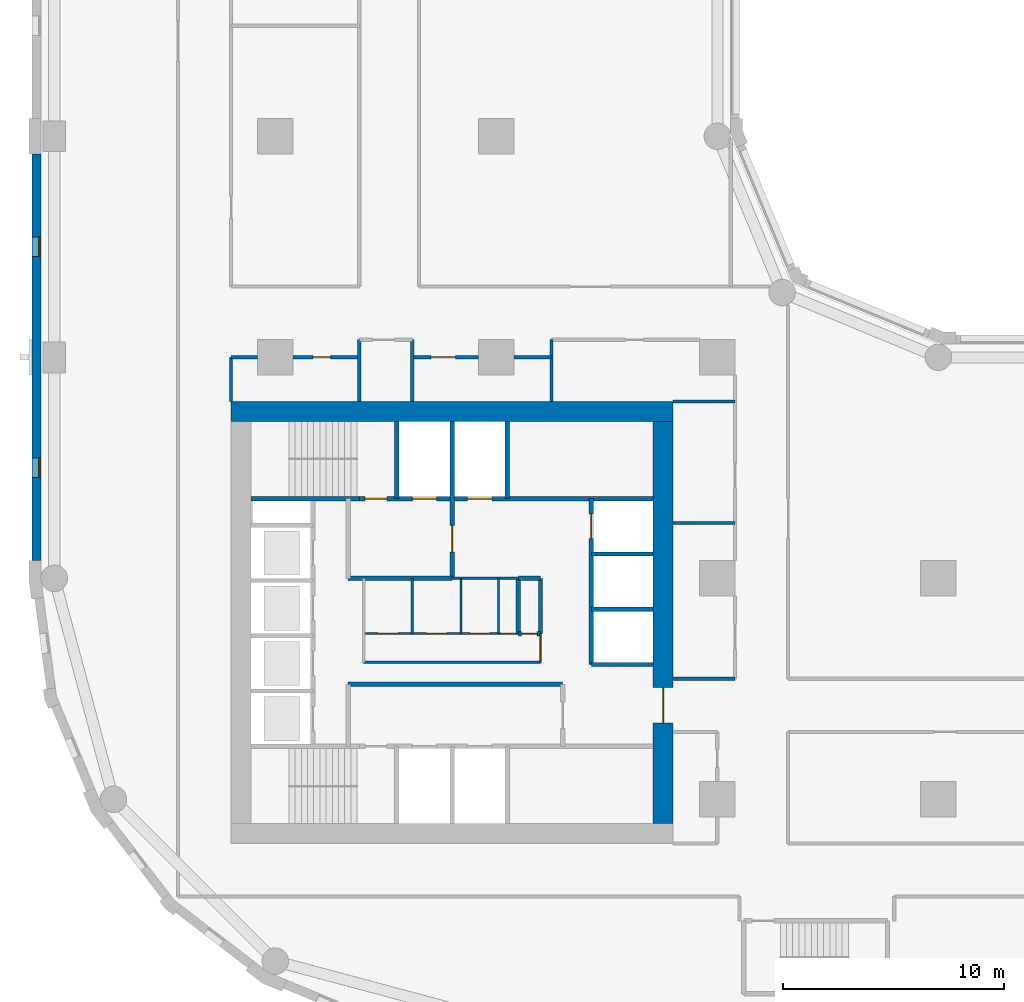
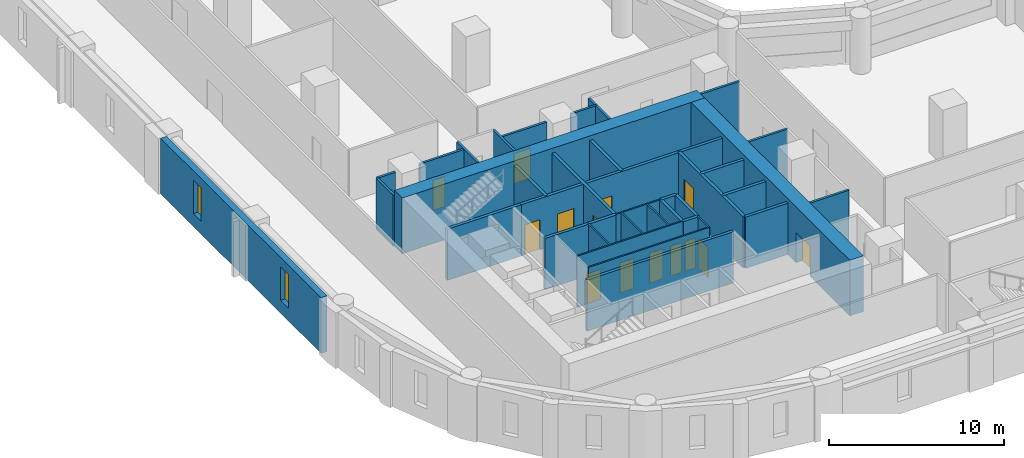
# One storey, part 3 of 10: 36 walls, 14 doors, 2 windows, 16 openings.
"""IFC4 building model written with IfcOpenShell, lengths in metres."""

from ifc_helpers import new_model, si_unit, direction, frame, frame_2d, origin, place, context, subcontext, project, spatial, rectangle, extrude, material, layer, layer_set, type_object, element, fill, save


model = new_model("IFC4")

# Units and contexts
model_context = context("Model", 3, precision=1e-05, world=origin(), true_north=direction((0.0, 1.0)))
body_context = subcontext(model_context, "Body", "Model", "MODEL_VIEW")
ifc_project = project(units=[si_unit("LENGTHUNIT", "METRE"), si_unit("AREAUNIT", "SQUARE_METRE"), si_unit("VOLUMEUNIT", "CUBIC_METRE"), si_unit("PLANEANGLEUNIT", "RADIAN"), si_unit("MASSUNIT", "GRAM", prefix="KILO")], contexts=[model_context])

# Site, building, storey
site_placement = place(None, origin())
site = spatial("IfcSite", under=ifc_project, at=site_placement, CompositionType="ELEMENT")
building_placement = place(site_placement, origin())
building = spatial("IfcBuilding", under=site, at=building_placement, Name="Qaws Garden Tower", CompositionType="ELEMENT")
storey_placement = place(building_placement, frame((0.0, 0.0, 39.300048828125)))
storey = spatial("IfcBuildingStorey", under=building, at=storey_placement, Name="L09", CompositionType="ELEMENT", Elevation=39.300048828125)

# Wall, openings, windows
ifc_material_1 = material(Name="Clay facing brick masonry", Category="masonry")
ifc_layer_1 = layer(ifc_material_1, 0.39990234375)
ifc_layer_set_1 = layer_set([ifc_layer_1], Name="Clay facing brick masonry")
wall_type_1 = type_object("IfcWallType", Name="Brick infill wall 400", PredefinedType="SOLIDWALL", material=ifc_layer_set_1)
wall_1_placement = place(storey_placement, frame((-0.800048828125, 39.199951171875, 0.0), z_axis=(0.0, 0.0, 1.0), x_axis=(0.0, -1.0, 0.0)))
wall_1 = element("IfcWall", 1, at=wall_1_placement, inside=storey, type_object=wall_type_1, Name="E-L09-infill-25", PredefinedType="SOLIDWALL", context=body_context, shape_type="SweptSolid", body=[
    extrude(rectangle(XDim=18.39990234375, YDim=0.39990234375, at=frame_2d((9.199951171875, 0.0))), origin(), (0.0, 0.0, 1.0), 3.89990234375),
])
opening_1_placement = place(wall_1_placement, frame((3.75, 0.0, 0.89990234375)))
opening_1 = element("IfcOpeningElement", 2, at=opening_1_placement, cuts=wall_1, Name="Opening W09", PredefinedType="OPENING", context=body_context, shape_type="SweptSolid", body=[
    extrude(rectangle(XDim=0.89990234375, YDim=2.35009765625, at=frame_2d((0.449951171875, 1.175048828125))), frame((0.0, 0.2099609375, 0.0), z_axis=(0.0, -1.0, 0.0), x_axis=(1.0, 0.0, 0.0)), (0.0, 0.0, 1.0), 0.419921875),
])
opening_2_placement = place(wall_1_placement, frame((13.75, 0.0, 0.89990234375)))
opening_2 = element("IfcOpeningElement", 3, at=opening_2_placement, cuts=wall_1, Name="Opening W09", PredefinedType="OPENING", context=body_context, shape_type="SweptSolid", body=[
    extrude(rectangle(XDim=0.89990234375, YDim=2.35009765625, at=frame_2d((0.449951171875, 1.175048828125))), frame((0.0, 0.2099609375, 0.0), z_axis=(0.0, -1.0, 0.0), x_axis=(1.0, 0.0, 0.0)), (0.0, 0.0, 1.0), 0.419921875),
])
ifc_material_2 = material(Name="Aluminium framed window, clear glazing", Category="aluminium")
window_type = type_object("IfcWindowType", Name="Slit window 900 x 2350", PartitioningType="SINGLE_PANEL", PredefinedType="WINDOW", material=ifc_material_2)
window_1_placement = place(opening_1_placement, origin())
window_1 = element("IfcWindow", 4, at=window_1_placement, inside=storey, type_object=window_type, Name="E-L09-window-25-0", OverallHeight=2.35009765625, OverallWidth=0.89990234375, PartitioningType="SINGLE_PANEL", PredefinedType="WINDOW", context=body_context, shape_type="SweptSolid", body=[
    extrude(rectangle(XDim=0.89990234375, YDim=2.35009765625, at=frame_2d((0.449951171875, 1.175048828125))), frame((0.0, 0.159912109375, 0.0), z_axis=(0.0, -1.0, 0.0), x_axis=(1.0, 0.0, 0.0)), (0.0, 0.0, 1.0), 0.06005859375),
])
fill(opening_1, window_1)
window_2_placement = place(opening_2_placement, origin())
window_2 = element("IfcWindow", 5, at=window_2_placement, inside=storey, type_object=window_type, Name="E-L09-window-26-0", OverallHeight=2.35009765625, OverallWidth=0.89990234375, PartitioningType="SINGLE_PANEL", PredefinedType="WINDOW", context=body_context, shape_type="SweptSolid", body=[
    extrude(rectangle(XDim=0.89990234375, YDim=2.35009765625, at=frame_2d((0.449951171875, 1.175048828125))), frame((0.0, 0.159912109375, 0.0), z_axis=(0.0, -1.0, 0.0), x_axis=(1.0, 0.0, 0.0)), (0.0, 0.0, 1.0), 0.06005859375),
])
fill(opening_2, window_2)

# Wall
ifc_material_3 = material(Name="Plasterboard")
ifc_layer_2 = layer(ifc_material_3, 0.10009765625)
ifc_layer_set_2 = layer_set([ifc_layer_2], Name="Plasterboard")
wall_type_2 = type_object("IfcWallType", Name="Core partition 100", PredefinedType="PARTITIONING", material=ifc_layer_set_2)
wall_2_placement = place(storey_placement, frame((14.0, 16.199951171875, 0.0), z_axis=(0.0, 0.0, 1.0), x_axis=(1.0, 0.0, 0.0)))
element("IfcWall", 6, at=wall_2_placement, inside=storey, type_object=wall_type_2, Name="Core partition", PredefinedType="PARTITIONING", context=body_context, shape_type="SweptSolid", body=[
    extrude(rectangle(XDim=8.0, YDim=0.10009765625, at=frame_2d((4.0, 0.0))), origin(), (0.0, 0.0, 1.0), 3.579833984375),
])

# Wall, openings, doors
wall_3_placement = place(storey_placement, frame((14.0, 17.5, 0.0), z_axis=(0.0, 0.0, 1.0), x_axis=(1.0, 0.0, 0.0)))
wall_3 = element("IfcWall", 7, at=wall_3_placement, inside=storey, type_object=wall_type_2, Name="Core partition", PredefinedType="PARTITIONING", context=body_context, shape_type="SweptSolid", body=[
    extrude(rectangle(XDim=7.0, YDim=0.10009765625, at=frame_2d((3.5, 0.0))), origin(), (0.0, 0.0, 1.0), 3.579833984375),
])
opening_3_placement = place(wall_3_placement, frame((0.64990234375, 0.0, 0.0)))
opening_3 = element("IfcOpeningElement", 8, at=opening_3_placement, cuts=wall_3, Name="Opening WD18", PredefinedType="OPENING", context=body_context, shape_type="SweptSolid", body=[
    extrude(rectangle(XDim=0.89990234375, YDim=2.10009765625, at=frame_2d((0.449951171875, 1.050048828125))), frame((0.0, 0.06005859375, 0.0), z_axis=(0.0, -1.0, 0.0), x_axis=(1.0, 0.0, 0.0)), (0.0, 0.0, 1.0), 0.1201171875),
])
opening_4_placement = place(wall_3_placement, frame((2.85009765625, 0.0, 0.0)))
opening_4 = element("IfcOpeningElement", 9, at=opening_4_placement, cuts=wall_3, Name="Opening WD19", PredefinedType="OPENING", context=body_context, shape_type="SweptSolid", body=[
    extrude(rectangle(XDim=0.89990234375, YDim=2.10009765625, at=frame_2d((0.449951171875, 1.050048828125))), frame((0.0, 0.06005859375, 0.0), z_axis=(0.0, -1.0, 0.0), x_axis=(1.0, 0.0, 0.0)), (0.0, 0.0, 1.0), 0.1201171875),
])
opening_5_placement = place(wall_3_placement, frame((4.800048828125, 0.0, 0.0)))
opening_5 = element("IfcOpeningElement", 10, at=opening_5_placement, cuts=wall_3, Name="Opening WD20", PredefinedType="OPENING", context=body_context, shape_type="SweptSolid", body=[
    extrude(rectangle(XDim=0.89990234375, YDim=2.10009765625, at=frame_2d((0.449951171875, 1.050048828125))), frame((0.0, 0.06005859375, 0.0), z_axis=(0.0, -1.0, 0.0), x_axis=(1.0, 0.0, 0.0)), (0.0, 0.0, 1.0), 0.1201171875),
])
opening_6_placement = place(wall_3_placement, frame((6.199951171875, 0.0, 0.0)))
opening_6 = element("IfcOpeningElement", 11, at=opening_6_placement, cuts=wall_3, Name="Opening XD21", PredefinedType="OPENING", context=body_context, shape_type="SweptSolid", body=[
    extrude(rectangle(XDim=0.699951171875, YDim=2.10009765625, at=frame_2d((0.35009765625, 1.050048828125))), frame((0.0, 0.06005859375, 0.0), z_axis=(0.0, -1.0, 0.0), x_axis=(1.0, 0.0, 0.0)), (0.0, 0.0, 1.0), 0.1201171875),
])
ifc_material_4 = material(Name="Timber", Category="wood")
door_type_1 = type_object("IfcDoorType", Name="Store door 700x2100", OperationType="SINGLE_SWING_LEFT", PredefinedType="DOOR", material=ifc_material_4)
door_1_placement = place(opening_6_placement, origin())
door_1 = element("IfcDoor", 12, at=door_1_placement, inside=storey, type_object=door_type_1, Name="Cleaner's store door", OperationType="SINGLE_SWING_RIGHT", OverallHeight=2.10009765625, OverallWidth=0.699951171875, PredefinedType="DOOR", context=body_context, shape_type="SweptSolid", body=[
    extrude(rectangle(XDim=0.699951171875, YDim=2.10009765625, at=frame_2d((0.35009765625, 1.050048828125))), frame((0.0, 0.02490234375, 0.0), z_axis=(0.0, -1.0, 0.0), x_axis=(1.0, 0.0, 0.0)), (0.0, 0.0, 1.0), 0.050048828125),
])
fill(opening_6, door_1)
ifc_material_5 = material(Name="Timber", Category="wood")
door_type_2 = type_object("IfcDoorType", Name="WC door 900x2100", OperationType="SINGLE_SWING_LEFT", PredefinedType="DOOR", material=ifc_material_5)
door_2_placement = place(opening_3_placement, origin())
door_2 = element("IfcDoor", 13, at=door_2_placement, inside=storey, type_object=door_type_2, Name="Men's WC door", OperationType="SINGLE_SWING_RIGHT", OverallHeight=2.10009765625, OverallWidth=0.89990234375, PredefinedType="DOOR", context=body_context, shape_type="SweptSolid", body=[
    extrude(rectangle(XDim=0.89990234375, YDim=2.10009765625, at=frame_2d((0.449951171875, 1.050048828125))), frame((0.0, 0.02490234375, 0.0), z_axis=(0.0, -1.0, 0.0), x_axis=(1.0, 0.0, 0.0)), (0.0, 0.0, 1.0), 0.050048828125),
])
fill(opening_3, door_2)
door_3_placement = place(opening_4_placement, origin())
door_3 = element("IfcDoor", 14, at=door_3_placement, inside=storey, type_object=door_type_2, Name="Women's WC door", OperationType="SINGLE_SWING_RIGHT", OverallHeight=2.10009765625, OverallWidth=0.89990234375, PredefinedType="DOOR", context=body_context, shape_type="SweptSolid", body=[
    extrude(rectangle(XDim=0.89990234375, YDim=2.10009765625, at=frame_2d((0.449951171875, 1.050048828125))), frame((0.0, 0.02490234375, 0.0), z_axis=(0.0, -1.0, 0.0), x_axis=(1.0, 0.0, 0.0)), (0.0, 0.0, 1.0), 0.050048828125),
])
fill(opening_4, door_3)
door_4_placement = place(opening_5_placement, origin())
door_4 = element("IfcDoor", 15, at=door_4_placement, inside=storey, type_object=door_type_2, Name="Accessible WC door", OperationType="SINGLE_SWING_RIGHT", OverallHeight=2.10009765625, OverallWidth=0.89990234375, PredefinedType="DOOR", context=body_context, shape_type="SweptSolid", body=[
    extrude(rectangle(XDim=0.89990234375, YDim=2.10009765625, at=frame_2d((0.449951171875, 1.050048828125))), frame((0.0, 0.02490234375, 0.0), z_axis=(0.0, -1.0, 0.0), x_axis=(1.0, 0.0, 0.0)), (0.0, 0.0, 1.0), 0.050048828125),
])
fill(opening_5, door_4)

# Walls
wall_4_placement = place(storey_placement, frame((18.0, 20.0, 0.0), z_axis=(0.0, 0.0, 1.0), x_axis=(1.0, 0.0, 0.0)))
element("IfcWall", 16, at=wall_4_placement, inside=storey, type_object=wall_type_2, Name="Core partition", PredefinedType="PARTITIONING", context=body_context, shape_type="SweptSolid", body=[
    extrude(rectangle(XDim=3.0, YDim=0.10009765625, at=frame_2d((1.5, 0.0))), origin(), (0.0, 0.0, 1.0), 3.579833984375),
])
for number, where, z_axis, x_axis, name in (
    (17, (16.199951171875, 17.5, 0.0), (0.0, 0.0, 1.0), (0.0, 1.0, 0.0), "Core partition"),
    (18, (18.39990234375, 17.5, 0.0), (0.0, 0.0, 1.0), (0.0, 1.0, 0.0), "Core partition"),
    (19, (20.10009765625, 17.5, 0.0), (0.0, 0.0, 1.0), (0.0, 1.0, 0.0), "Core partition"),
):
    element("IfcWall", number, at=place(storey_placement, frame(where, z_axis=z_axis, x_axis=x_axis)), inside=storey, type_object=wall_type_2, Name=name, PredefinedType="PARTITIONING", context=body_context, shape_type="SweptSolid", body=[
        extrude(rectangle(XDim=2.5, YDim=0.10009765625, at=frame_2d((1.25, 0.0))), origin(), (0.0, 0.0, 1.0), 3.579833984375),
    ])

# Wall, opening, door
wall_5_placement = place(storey_placement, frame((22.0, 16.199951171875, 0.0), z_axis=(0.0, 0.0, 1.0), x_axis=(0.0, 1.0, 0.0)))
wall_5 = element("IfcWall", 20, at=wall_5_placement, inside=storey, type_object=wall_type_2, Name="Core partition", PredefinedType="PARTITIONING", context=body_context, shape_type="SweptSolid", body=[
    extrude(rectangle(XDim=1.300048828125, YDim=0.10009765625, at=frame_2d((0.64990234375, 0.0))), origin(), (0.0, 0.0, 1.0), 3.579833984375),
])
opening_7_placement = place(wall_5_placement, frame((0.10009765625, 0.0, 0.0)))
opening_7 = element("IfcOpeningElement", 21, at=opening_7_placement, cuts=wall_5, Name="Opening WL17", PredefinedType="OPENING", context=body_context, shape_type="SweptSolid", body=[
    extrude(rectangle(XDim=1.10009765625, YDim=2.10009765625, at=frame_2d((0.550048828125, 1.050048828125))), frame((0.0, 0.06005859375, 0.0), z_axis=(0.0, -1.0, 0.0), x_axis=(1.0, 0.0, 0.0)), (0.0, 0.0, 1.0), 0.1201171875),
])
ifc_material_6 = material(Name="Timber", Category="wood")
door_type_3 = type_object("IfcDoorType", Name="WC lobby door 1100x2100", OperationType="SINGLE_SWING_LEFT", PredefinedType="DOOR", material=ifc_material_6)
door_5_placement = place(opening_7_placement, origin())
door_5 = element("IfcDoor", 22, at=door_5_placement, inside=storey, type_object=door_type_3, Name="WC lobby door", OperationType="SINGLE_SWING_RIGHT", OverallHeight=2.10009765625, OverallWidth=1.10009765625, PredefinedType="DOOR", context=body_context, shape_type="SweptSolid", body=[
    extrude(rectangle(XDim=1.10009765625, YDim=2.10009765625, at=frame_2d((0.550048828125, 1.050048828125))), frame((0.0, 0.02490234375, 0.0), z_axis=(0.0, -1.0, 0.0), x_axis=(1.0, 0.0, 0.0)), (0.0, 0.0, 1.0), 0.050048828125),
])
fill(opening_7, door_5)

# Walls
ifc_material_7 = material(Name="Concrete C80", Category="concrete")
ifc_layer_3 = layer(ifc_material_7, 0.199951171875)
ifc_layer_set_3 = layer_set([ifc_layer_3], Name="Concrete C80")
wall_type_3 = type_object("IfcWallType", Name="Core shaft wall 200 C80", PredefinedType="SHEAR", material=ifc_layer_set_3)
wall_6_placement = place(storey_placement, frame((13.300048828125, 15.199951171875, 0.0), z_axis=(0.0, 0.0, 1.0), x_axis=(1.0, 0.0, 0.0)))
element("IfcWall", 23, at=wall_6_placement, inside=storey, type_object=wall_type_3, Name="Shaft wall", PredefinedType="SHEAR", context=body_context, shape_type="SweptSolid", body=[
    extrude(rectangle(XDim=9.699951171875, YDim=0.199951171875, at=frame_2d((4.85009765625, 0.0))), origin(), (0.0, 0.0, 1.0), 3.579833984375),
])
wall_7_placement = place(storey_placement, frame((24.300048828125, 16.10009765625, 0.0), z_axis=(0.0, 0.0, 1.0), x_axis=(1.0, 0.0, 0.0)))
element("IfcWall", 24, at=wall_7_placement, inside=storey, type_object=wall_type_3, Name="Shaft wall", PredefinedType="SHEAR", context=body_context, shape_type="SweptSolid", body=[
    extrude(rectangle(XDim=2.800048828125, YDim=0.199951171875, at=frame_2d((1.39990234375, 0.0))), origin(), (0.0, 0.0, 1.0), 3.579833984375),
])

# Wall, opening, door
wall_8_placement = place(storey_placement, frame((21.0, 17.5, 0.0), z_axis=(0.0, 0.0, 1.0), x_axis=(1.0, 0.0, 0.0)))
wall_8 = element("IfcWall", 25, at=wall_8_placement, inside=storey, type_object=wall_type_3, Name="Shaft wall", PredefinedType="SHEAR", context=body_context, shape_type="SweptSolid", body=[
    extrude(rectangle(XDim=1.0, YDim=0.199951171875, at=frame_2d((0.5, 0.0))), origin(), (0.0, 0.0, 1.0), 3.579833984375),
])
opening_8_placement = place(wall_8_placement, frame((0.14990234375, 0.0, 0.0)))
opening_8 = element("IfcOpeningElement", 26, at=opening_8_placement, cuts=wall_8, Name="Opening XD22", PredefinedType="OPENING", context=body_context, shape_type="SweptSolid", body=[
    extrude(rectangle(XDim=0.699951171875, YDim=2.10009765625, at=frame_2d((0.35009765625, 1.050048828125))), frame((0.0, 0.10986328125, 0.0), z_axis=(0.0, -1.0, 0.0), x_axis=(1.0, 0.0, 0.0)), (0.0, 0.0, 1.0), 0.219970703125),
])
door_6_placement = place(opening_8_placement, origin())
door_6 = element("IfcDoor", 27, at=door_6_placement, inside=storey, type_object=door_type_1, Name="Telecom riser door", OperationType="SINGLE_SWING_RIGHT", OverallHeight=2.10009765625, OverallWidth=0.699951171875, PredefinedType="DOOR", context=body_context, shape_type="SweptSolid", body=[
    extrude(rectangle(XDim=0.699951171875, YDim=2.10009765625, at=frame_2d((0.35009765625, 1.050048828125))), frame((0.0, 0.02490234375, 0.0), z_axis=(0.0, -1.0, 0.0), x_axis=(1.0, 0.0, 0.0)), (0.0, 0.0, 1.0), 0.050048828125),
])
fill(opening_8, door_6)

# Walls
wall_9_placement = place(storey_placement, frame((24.300048828125, 18.60009765625, 0.0), z_axis=(0.0, 0.0, 1.0), x_axis=(1.0, 0.0, 0.0)))
element("IfcWall", 28, at=wall_9_placement, inside=storey, type_object=wall_type_3, Name="Shaft wall", PredefinedType="SHEAR", context=body_context, shape_type="SweptSolid", body=[
    extrude(rectangle(XDim=2.800048828125, YDim=0.199951171875, at=frame_2d((1.39990234375, 0.0))), origin(), (0.0, 0.0, 1.0), 3.579833984375),
])
wall_10_placement = place(storey_placement, frame((13.300048828125, 20.0, 0.0), z_axis=(0.0, 0.0, 1.0), x_axis=(1.0, 0.0, 0.0)))
element("IfcWall", 29, at=wall_10_placement, inside=storey, type_object=wall_type_3, Name="Shaft wall", PredefinedType="SHEAR", context=body_context, shape_type="SweptSolid", body=[
    extrude(rectangle(XDim=4.699951171875, YDim=0.199951171875, at=frame_2d((2.35009765625, 0.0))), origin(), (0.0, 0.0, 1.0), 3.579833984375),
])
wall_11_placement = place(storey_placement, frame((21.0, 20.0, 0.0), z_axis=(0.0, 0.0, 1.0), x_axis=(1.0, 0.0, 0.0)))
element("IfcWall", 30, at=wall_11_placement, inside=storey, type_object=wall_type_3, Name="Shaft wall", PredefinedType="SHEAR", context=body_context, shape_type="SweptSolid", body=[
    extrude(rectangle(XDim=1.0, YDim=0.199951171875, at=frame_2d((0.5, 0.0))), origin(), (0.0, 0.0, 1.0), 3.579833984375),
])
wall_12_placement = place(storey_placement, frame((24.300048828125, 21.10009765625, 0.0), z_axis=(0.0, 0.0, 1.0), x_axis=(1.0, 0.0, 0.0)))
element("IfcWall", 31, at=wall_12_placement, inside=storey, type_object=wall_type_3, Name="Shaft wall", PredefinedType="SHEAR", context=body_context, shape_type="SweptSolid", body=[
    extrude(rectangle(XDim=2.800048828125, YDim=0.199951171875, at=frame_2d((1.39990234375, 0.0))), origin(), (0.0, 0.0, 1.0), 3.579833984375),
])
wall_13_placement = place(storey_placement, frame((8.89990234375, 23.60009765625, 0.0), z_axis=(0.0, 0.0, 1.0), x_axis=(1.0, 0.0, 0.0)))
element("IfcWall", 32, at=wall_13_placement, inside=storey, type_object=wall_type_3, Name="Shaft wall", PredefinedType="SHEAR", context=body_context, shape_type="SweptSolid", body=[
    extrude(rectangle(XDim=4.900146484375, YDim=0.199951171875, at=frame_2d((2.4501953125, 0.0))), origin(), (0.0, 0.0, 1.0), 3.579833984375),
])

# Wall, openings, doors
wall_14_placement = place(storey_placement, frame((13.800048828125, 23.60009765625, 0.0), z_axis=(0.0, 0.0, 1.0), x_axis=(1.0, 0.0, 0.0)))
wall_14 = element("IfcWall", 33, at=wall_14_placement, inside=storey, type_object=wall_type_3, Name="Shaft wall", PredefinedType="SHEAR", context=body_context, shape_type="SweptSolid", body=[
    extrude(rectangle(XDim=13.300048828125, YDim=0.199951171875, at=frame_2d((6.64990234375, 0.0))), origin(), (0.0, 0.0, 1.0), 3.579833984375),
])
opening_9_placement = place(wall_14_placement, frame((2.39990234375, 0.0, 0.0)))
opening_9 = element("IfcOpeningElement", 34, at=opening_9_placement, cuts=wall_14, Name="Opening LD08", PredefinedType="OPENING", context=body_context, shape_type="SweptSolid", body=[
    extrude(rectangle(XDim=1.10009765625, YDim=2.10009765625, at=frame_2d((0.550048828125, 1.050048828125))), frame((0.0, 0.10986328125, 0.0), z_axis=(0.0, -1.0, 0.0), x_axis=(1.0, 0.0, 0.0)), (0.0, 0.0, 1.0), 0.219970703125),
])
opening_10_placement = place(wall_14_placement, frame((4.89990234375, 0.0, 0.0)))
opening_10 = element("IfcOpeningElement", 35, at=opening_10_placement, cuts=wall_14, Name="Opening LD09", PredefinedType="OPENING", context=body_context, shape_type="SweptSolid", body=[
    extrude(rectangle(XDim=1.10009765625, YDim=2.10009765625, at=frame_2d((0.550048828125, 1.050048828125))), frame((0.0, 0.10986328125, 0.0), z_axis=(0.0, -1.0, 0.0), x_axis=(1.0, 0.0, 0.0)), (0.0, 0.0, 1.0), 0.219970703125),
])
opening_11_placement = place(wall_14_placement, frame((0.25, 0.0, 0.0)))
opening_11 = element("IfcOpeningElement", 36, at=opening_11_placement, cuts=wall_14, Name="Opening SD11", PredefinedType="OPENING", context=body_context, shape_type="SweptSolid", body=[
    extrude(rectangle(XDim=1.0, YDim=2.10009765625, at=frame_2d((0.5, 1.050048828125))), frame((0.0, 0.10986328125, 0.0), z_axis=(0.0, -1.0, 0.0), x_axis=(1.0, 0.0, 0.0)), (0.0, 0.0, 1.0), 0.219970703125),
])
ifc_material_8 = material(Name="Steel S235", Category="steel")
door_type_4 = type_object("IfcDoorType", Name="Landing door 1100x2100", OperationType="DOUBLE_DOOR_SLIDING", PredefinedType="DOOR", material=ifc_material_8)
door_7_placement = place(opening_9_placement, origin())
door_7 = element("IfcDoor", 37, at=door_7_placement, inside=storey, type_object=door_type_4, Name="Lift FF3 landing door", OperationType="DOUBLE_DOOR_SLIDING", OverallHeight=2.10009765625, OverallWidth=1.10009765625, PredefinedType="DOOR", context=body_context, shape_type="SweptSolid", body=[
    extrude(rectangle(XDim=1.10009765625, YDim=2.10009765625, at=frame_2d((0.550048828125, 1.050048828125))), frame((0.0, 0.02490234375, 0.0), z_axis=(0.0, -1.0, 0.0), x_axis=(1.0, 0.0, 0.0)), (0.0, 0.0, 1.0), 0.050048828125),
])
fill(opening_9, door_7)
door_8_placement = place(opening_10_placement, origin())
door_8 = element("IfcDoor", 38, at=door_8_placement, inside=storey, type_object=door_type_4, Name="Lift SV2 landing door", OperationType="DOUBLE_DOOR_SLIDING", OverallHeight=2.10009765625, OverallWidth=1.10009765625, PredefinedType="DOOR", context=body_context, shape_type="SweptSolid", body=[
    extrude(rectangle(XDim=1.10009765625, YDim=2.10009765625, at=frame_2d((0.550048828125, 1.050048828125))), frame((0.0, 0.02490234375, 0.0), z_axis=(0.0, -1.0, 0.0), x_axis=(1.0, 0.0, 0.0)), (0.0, 0.0, 1.0), 0.050048828125),
])
fill(opening_10, door_8)
ifc_material_9 = material(Name="Steel S235", Category="steel")
door_type_5 = type_object("IfcDoorType", Name="Stair door 1000x2100", OperationType="SINGLE_SWING_RIGHT", PredefinedType="DOOR", material=ifc_material_9)
door_9_placement = place(opening_11_placement, origin())
door_9 = element("IfcDoor", 39, at=door_9_placement, inside=storey, type_object=door_type_5, Name="Stair 4 door", OperationType="SINGLE_SWING_RIGHT", OverallHeight=2.10009765625, OverallWidth=1.0, PredefinedType="DOOR", context=body_context, shape_type="SweptSolid", body=[
    extrude(rectangle(XDim=1.0, YDim=2.10009765625, at=frame_2d((0.5, 1.050048828125))), frame((0.0, 0.02490234375, 0.0), z_axis=(0.0, -1.0, 0.0), x_axis=(1.0, 0.0, 0.0)), (0.0, 0.0, 1.0), 0.050048828125),
])
fill(opening_11, door_9)

# Wall
wall_15_placement = place(storey_placement, frame((15.5, 23.60009765625, 0.0), z_axis=(0.0, 0.0, 1.0), x_axis=(0.0, 1.0, 0.0)))
element("IfcWall", 40, at=wall_15_placement, inside=storey, type_object=wall_type_3, Name="Shaft wall", PredefinedType="SHEAR", context=body_context, shape_type="SweptSolid", body=[
    extrude(rectangle(XDim=3.5, YDim=0.199951171875, at=frame_2d((1.75, 0.0))), origin(), (0.0, 0.0, 1.0), 3.579833984375),
])

# Wall, opening, door
wall_16_placement = place(storey_placement, frame((18.0, 20.0, 0.0), z_axis=(0.0, 0.0, 1.0), x_axis=(0.0, 1.0, 0.0)))
wall_16 = element("IfcWall", 41, at=wall_16_placement, inside=storey, type_object=wall_type_3, Name="Shaft wall", PredefinedType="SHEAR", context=body_context, shape_type="SweptSolid", body=[
    extrude(rectangle(XDim=7.10009765625, YDim=0.199951171875, at=frame_2d((3.550048828125, 0.0))), origin(), (0.0, 0.0, 1.0), 3.579833984375),
])
opening_12_placement = place(wall_16_placement, frame((1.199951171875, 0.0, 0.0)))
opening_12 = element("IfcOpeningElement", 42, at=opening_12_placement, cuts=wall_16, Name="Opening FD16", PredefinedType="OPENING", context=body_context, shape_type="SweptSolid", body=[
    extrude(rectangle(XDim=1.199951171875, YDim=2.10009765625, at=frame_2d((0.60009765625, 1.050048828125))), frame((0.0, 0.10986328125, 0.0), z_axis=(0.0, -1.0, 0.0), x_axis=(1.0, 0.0, 0.0)), (0.0, 0.0, 1.0), 0.219970703125),
])
ifc_material_10 = material(Name="Steel S235", Category="steel")
door_type_6 = type_object("IfcDoorType", Name="Lobby door 1200x2100", OperationType="DOUBLE_DOOR_SINGLE_SWING", PredefinedType="DOOR", material=ifc_material_10)
door_10_placement = place(opening_12_placement, origin())
door_10 = element("IfcDoor", 43, at=door_10_placement, inside=storey, type_object=door_type_6, Name="Fire-fighting lobby door", OperationType="DOUBLE_DOOR_SINGLE_SWING", OverallHeight=2.10009765625, OverallWidth=1.199951171875, PredefinedType="DOOR", context=body_context, shape_type="SweptSolid", body=[
    extrude(rectangle(XDim=1.199951171875, YDim=2.10009765625, at=frame_2d((0.60009765625, 1.050048828125))), frame((0.0, 0.02490234375, 0.0), z_axis=(0.0, -1.0, 0.0), x_axis=(1.0, 0.0, 0.0)), (0.0, 0.0, 1.0), 0.050048828125),
])
fill(opening_12, door_10)

# Walls
wall_17_placement = place(storey_placement, frame((20.5, 23.60009765625, 0.0), z_axis=(0.0, 0.0, 1.0), x_axis=(0.0, 1.0, 0.0)))
element("IfcWall", 44, at=wall_17_placement, inside=storey, type_object=wall_type_3, Name="Shaft wall", PredefinedType="SHEAR", context=body_context, shape_type="SweptSolid", body=[
    extrude(rectangle(XDim=3.5, YDim=0.199951171875, at=frame_2d((1.75, 0.0))), origin(), (0.0, 0.0, 1.0), 3.579833984375),
])
for number, where, z_axis, x_axis, name in (
    (45, (21.0, 17.5, 0.0), (0.0, 0.0, 1.0), (0.0, 1.0, 0.0), "Shaft wall"),
    (46, (22.0, 17.5, 0.0), (0.0, 0.0, 1.0), (0.0, 1.0, 0.0), "Shaft wall"),
):
    element("IfcWall", number, at=place(storey_placement, frame(where, z_axis=z_axis, x_axis=x_axis)), inside=storey, type_object=wall_type_3, Name=name, PredefinedType="SHEAR", context=body_context, shape_type="SweptSolid", body=[
        extrude(rectangle(XDim=2.5, YDim=0.199951171875, at=frame_2d((1.25, 0.0))), origin(), (0.0, 0.0, 1.0), 3.579833984375),
    ])

# Wall, opening, door
wall_18_placement = place(storey_placement, frame((24.300048828125, 16.10009765625, 0.0), z_axis=(0.0, 0.0, 1.0), x_axis=(0.0, 1.0, 0.0)))
wall_18 = element("IfcWall", 47, at=wall_18_placement, inside=storey, type_object=wall_type_3, Name="Shaft wall", PredefinedType="SHEAR", context=body_context, shape_type="SweptSolid", body=[
    extrude(rectangle(XDim=7.5, YDim=0.199951171875, at=frame_2d((3.75, 0.0))), origin(), (0.0, 0.0, 1.0), 3.579833984375),
])
opening_13_placement = place(wall_18_placement, frame((5.699951171875, 0.0, 0.0)))
opening_13 = element("IfcOpeningElement", 48, at=opening_13_placement, cuts=wall_18, Name="Opening LD05", PredefinedType="OPENING", context=body_context, shape_type="SweptSolid", body=[
    extrude(rectangle(XDim=1.10009765625, YDim=2.10009765625, at=frame_2d((0.550048828125, 1.050048828125))), frame((0.0, 0.10986328125, 0.0), z_axis=(0.0, -1.0, 0.0), x_axis=(1.0, 0.0, 0.0)), (0.0, 0.0, 1.0), 0.219970703125),
])
door_11_placement = place(opening_13_placement, origin())
door_11 = element("IfcDoor", 49, at=door_11_placement, inside=storey, type_object=door_type_4, Name="Lift E3 landing door", OperationType="DOUBLE_DOOR_SLIDING", OverallHeight=2.10009765625, OverallWidth=1.10009765625, PredefinedType="DOOR", context=body_context, shape_type="SweptSolid", body=[
    extrude(rectangle(XDim=1.10009765625, YDim=2.10009765625, at=frame_2d((0.550048828125, 1.050048828125))), frame((0.0, 0.02490234375, 0.0), z_axis=(0.0, -1.0, 0.0), x_axis=(1.0, 0.0, 0.0)), (0.0, 0.0, 1.0), 0.050048828125),
])
fill(opening_13, door_11)

ifc_material_11 = material(Name="Concrete C80", Category="concrete")
ifc_layer_4 = layer(ifc_material_11, 0.89990234375)
ifc_layer_set_4 = layer_set([ifc_layer_4], Name="Concrete C80")
wall_type_4 = type_object("IfcWallType", Name="Core wall 900 C80", PredefinedType="SHEAR", material=ifc_layer_set_4)
wall_19_placement = place(storey_placement, frame((27.550048828125, 8.89990234375, 0.0), z_axis=(0.0, 0.0, 1.0), x_axis=(0.0, 1.0, 0.0)))
wall_19 = element("IfcWall", 50, at=wall_19_placement, inside=storey, type_object=wall_type_4, Name="Core wall L09 east", PredefinedType="SHEAR", context=body_context, shape_type="SweptSolid", body=[
    extrude(rectangle(XDim=18.2001953125, YDim=0.89990234375, at=frame_2d((9.10009765625, 0.0))), origin(), (0.0, 0.0, 1.0), 3.89990234375),
])
opening_14_placement = place(wall_19_placement, frame((4.550048828125, 0.0, 0.0)))
opening_14 = element("IfcOpeningElement", 51, at=opening_14_placement, cuts=wall_19, Name="Opening ED23", PredefinedType="OPENING", context=body_context, shape_type="SweptSolid", body=[
    extrude(rectangle(XDim=1.60009765625, YDim=2.10009765625, at=frame_2d((0.800048828125, 1.050048828125))), frame((0.0, 0.4599609375, 0.0), z_axis=(0.0, -1.0, 0.0), x_axis=(1.0, 0.0, 0.0)), (0.0, 0.0, 1.0), 0.919921875),
])
ifc_material_12 = material(Name="Steel S235", Category="steel")
door_type_7 = type_object("IfcDoorType", Name="Core entrance door 1600x2100", OperationType="DOUBLE_DOOR_SINGLE_SWING", PredefinedType="DOOR", material=ifc_material_12)
door_12_placement = place(opening_14_placement, origin())
door_12 = element("IfcDoor", 52, at=door_12_placement, inside=storey, type_object=door_type_7, Name="Core entrance door", OperationType="DOUBLE_DOOR_SINGLE_SWING", OverallHeight=2.10009765625, OverallWidth=1.60009765625, PredefinedType="DOOR", context=body_context, shape_type="SweptSolid", body=[
    extrude(rectangle(XDim=1.60009765625, YDim=2.10009765625, at=frame_2d((0.800048828125, 1.050048828125))), frame((0.0, 0.02490234375, 0.0), z_axis=(0.0, -1.0, 0.0), x_axis=(1.0, 0.0, 0.0)), (0.0, 0.0, 1.0), 0.050048828125),
])
fill(opening_14, door_12)

# Walls
wall_20_placement = place(storey_placement, frame((28.0, 27.550048828125, 0.0), z_axis=(0.0, 0.0, 1.0), x_axis=(-1.0, 0.0, 0.0)))
element("IfcWall", 53, at=wall_20_placement, inside=storey, type_object=wall_type_4, Name="Core wall L09 north", PredefinedType="SHEAR", context=body_context, shape_type="SweptSolid", body=[
    extrude(rectangle(XDim=20.0, YDim=0.89990234375, at=frame_2d((10.0, 0.0))), origin(), (0.0, 0.0, 1.0), 3.89990234375),
])
ifc_material_13 = material(Name="Gypsum board partition")
ifc_layer_5 = layer(ifc_material_13, 0.14990234375)
ifc_layer_set_5 = layer_set([ifc_layer_5], Name="Gypsum board partition")
wall_type_5 = type_object("IfcWallType", Name="PARTITION 150 EI 60", PredefinedType="PARTITIONING", material=ifc_layer_set_5)
wall_21_placement = place(storey_placement, frame((8.0, 28.0, 0.0), z_axis=(0.0, 0.0, 1.0), x_axis=(0.0, 1.0, 0.0)))
element("IfcWall", 54, at=wall_21_placement, inside=storey, type_object=wall_type_5, Name="O-L09-wall-003", PredefinedType="PARTITIONING", context=body_context, shape_type="SweptSolid", body=[
    extrude(rectangle(XDim=2.0, YDim=0.14990234375, at=frame_2d((1.0, 0.0))), origin(), (0.0, 0.0, 1.0), 3.579833984375),
])
for number, where, z_axis, x_axis, name in (
    (55, (13.800048828125, 28.0, 0.0), (0.0, 0.0, 1.0), (0.0, 1.0, 0.0), "O-L09-wall-006"),
    (56, (16.199951171875, 28.0, 0.0), (0.0, 0.0, 1.0), (0.0, 1.0, 0.0), "O-L09-wall-008"),
    (57, (22.5, 28.0, 0.0), (0.0, 0.0, 1.0), (0.0, 1.0, 0.0), "O-L09-wall-011"),
    (58, (28.0, 15.449951171875, 0.0), (0.0, 0.0, 1.0), (1.0, 0.0, 0.0), "O-L09-wall-037"),
    (59, (28.0, 22.5, 0.0), (0.0, 0.0, 1.0), (1.0, 0.0, 0.0), "O-L09-wall-039"),
    (60, (28.0, 28.0, 0.0), (0.0, 0.0, 1.0), (1.0, 0.0, 0.0), "O-L09-wall-040"),
):
    element("IfcWall", number, at=place(storey_placement, frame(where, z_axis=z_axis, x_axis=x_axis)), inside=storey, type_object=wall_type_5, Name=name, PredefinedType="PARTITIONING", context=body_context, shape_type="SweptSolid", body=[
        extrude(rectangle(XDim=2.800048828125, YDim=0.14990234375, at=frame_2d((1.39990234375, 0.0))), origin(), (0.0, 0.0, 1.0), 3.579833984375),
    ])
wall_22_placement = place(storey_placement, frame((8.0, 30.0, 0.0), z_axis=(0.0, 0.0, 1.0), x_axis=(1.0, 0.0, 0.0)))
element("IfcWall", 61, at=wall_22_placement, inside=storey, type_object=wall_type_5, Name="O-L09-wall-041", PredefinedType="PARTITIONING", context=body_context, shape_type="SweptSolid", body=[
    extrude(rectangle(XDim=1.199951171875, YDim=0.14990234375, at=frame_2d((0.60009765625, 0.0))), origin(), (0.0, 0.0, 1.0), 3.579833984375),
])

# Wall, opening, door
wall_23_placement = place(storey_placement, frame((10.800048828125, 30.0, 0.0), z_axis=(0.0, 0.0, 1.0), x_axis=(1.0, 0.0, 0.0)))
wall_23 = element("IfcWall", 62, at=wall_23_placement, inside=storey, type_object=wall_type_5, Name="O-L09-wall-042", PredefinedType="PARTITIONING", context=body_context, shape_type="SweptSolid", body=[
    extrude(rectangle(XDim=3.0, YDim=0.14990234375, at=frame_2d((1.5, 0.0))), origin(), (0.0, 0.0, 1.0), 3.579833984375),
])
opening_15_placement = place(wall_23_placement, frame((0.89990234375, 0.0, 0.0)))
opening_15 = element("IfcOpeningElement", 63, at=opening_15_placement, cuts=wall_23, Name="Opening A303", PredefinedType="OPENING", context=body_context, shape_type="SweptSolid", body=[
    extrude(rectangle(XDim=0.800048828125, YDim=2.10009765625, at=frame_2d((0.39990234375, 1.050048828125))), frame((0.0, 0.0849609375, 0.0), z_axis=(0.0, -1.0, 0.0), x_axis=(1.0, 0.0, 0.0)), (0.0, 0.0, 1.0), 0.169921875),
])
ifc_material_14 = material(Name="Timber door leaf", Category="wood")
door_type_8 = type_object("IfcDoorType", Name="STORE DOOR 800 X 2100", OperationType="SINGLE_SWING_LEFT", PredefinedType="DOOR", material=ifc_material_14)
door_13_placement = place(opening_15_placement, frame((0.800048828125, 0.0, 0.0), z_axis=(0.0, 0.0, 1.0), x_axis=(-1.0, 0.0, 0.0)))
door_13 = element("IfcDoor", 64, at=door_13_placement, inside=storey, type_object=door_type_8, Name="O-L09-door-003", OperationType="SINGLE_SWING_RIGHT", OverallHeight=2.10009765625, OverallWidth=0.800048828125, PredefinedType="DOOR", context=body_context, shape_type="SweptSolid", body=[
    extrude(rectangle(XDim=0.800048828125, YDim=2.10009765625, at=frame_2d((0.39990234375, 1.050048828125))), frame((0.0, 0.02490234375, 0.0), z_axis=(0.0, -1.0, 0.0), x_axis=(1.0, 0.0, 0.0)), (0.0, 0.0, 1.0), 0.050048828125),
])
fill(opening_15, door_13)

wall_24_placement = place(storey_placement, frame((16.199951171875, 30.0, 0.0), z_axis=(0.0, 0.0, 1.0), x_axis=(1.0, 0.0, 0.0)))
wall_24 = element("IfcWall", 65, at=wall_24_placement, inside=storey, type_object=wall_type_5, Name="O-L09-wall-043", PredefinedType="PARTITIONING", context=body_context, shape_type="SweptSolid", body=[
    extrude(rectangle(XDim=3.0, YDim=0.14990234375, at=frame_2d((1.5, 0.0))), origin(), (0.0, 0.0, 1.0), 3.579833984375),
])
opening_16_placement = place(wall_24_placement, frame((0.85009765625, 0.0, 0.0)))
opening_16 = element("IfcOpeningElement", 66, at=opening_16_placement, cuts=wall_24, Name="Opening A304", PredefinedType="OPENING", context=body_context, shape_type="SweptSolid", body=[
    extrude(rectangle(XDim=1.10009765625, YDim=2.10009765625, at=frame_2d((0.550048828125, 1.050048828125))), frame((0.0, 0.0849609375, 0.0), z_axis=(0.0, -1.0, 0.0), x_axis=(1.0, 0.0, 0.0)), (0.0, 0.0, 1.0), 0.169921875),
])
ifc_material_15 = material(Name="Timber door leaf", Category="wood")
door_type_9 = type_object("IfcDoorType", Name="SERVICE ROOM DOOR 1100 X 2100", OperationType="SINGLE_SWING_LEFT", PredefinedType="DOOR", material=ifc_material_15)
door_14_placement = place(opening_16_placement, frame((1.10009765625, 0.0, 0.0), z_axis=(0.0, 0.0, 1.0), x_axis=(-1.0, 0.0, 0.0)))
door_14 = element("IfcDoor", 67, at=door_14_placement, inside=storey, type_object=door_type_9, Name="O-L09-door-004", OperationType="SINGLE_SWING_RIGHT", OverallHeight=2.10009765625, OverallWidth=1.10009765625, PredefinedType="DOOR", context=body_context, shape_type="SweptSolid", body=[
    extrude(rectangle(XDim=1.10009765625, YDim=2.10009765625, at=frame_2d((0.550048828125, 1.050048828125))), frame((0.0, 0.02490234375, 0.0), z_axis=(0.0, -1.0, 0.0), x_axis=(1.0, 0.0, 0.0)), (0.0, 0.0, 1.0), 0.050048828125),
])
fill(opening_16, door_14)

# Wall
wall_25_placement = place(storey_placement, frame((20.800048828125, 30.0, 0.0), z_axis=(0.0, 0.0, 1.0), x_axis=(1.0, 0.0, 0.0)))
element("IfcWall", 68, at=wall_25_placement, inside=storey, type_object=wall_type_5, Name="O-L09-wall-044", PredefinedType="PARTITIONING", context=body_context, shape_type="SweptSolid", body=[
    extrude(rectangle(XDim=1.699951171875, YDim=0.14990234375, at=frame_2d((0.85009765625, 0.0))), origin(), (0.0, 0.0, 1.0), 3.579833984375),
])

save(model, "model.ifc")
